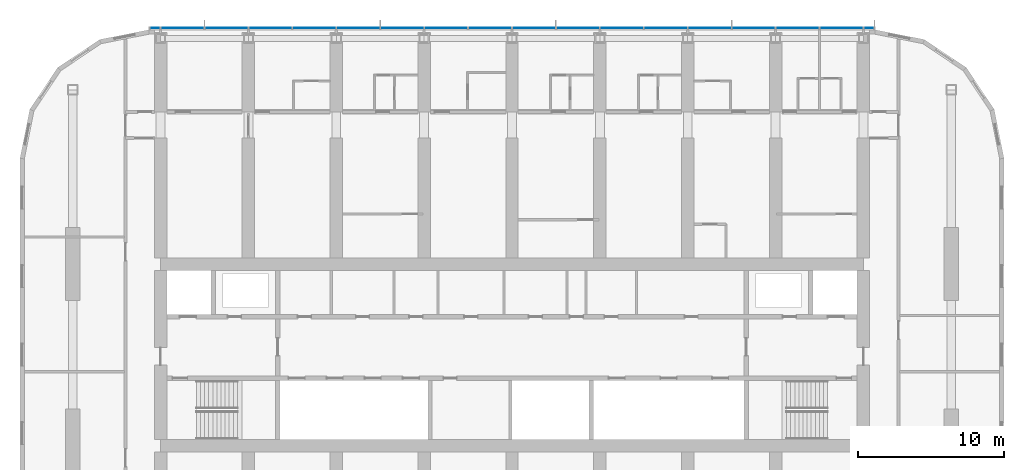
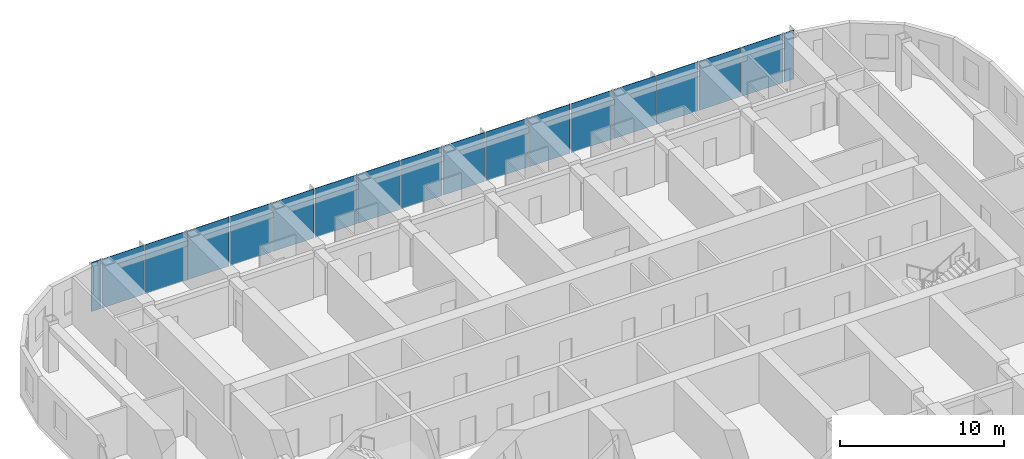
# One storey, part 9 of 22: 18 plates, 1 element without a shape of its own.
"""IFC4 building model written with IfcOpenShell, lengths in metres."""

import ifcopenshell
import ifcopenshell.guid

model = None  # the IFC model being written
_history = None  # IfcOwnerHistory: only IFC2X3 demands one
_inside = {}  # id of a spatial element -> (the spatial element, [elements in it])
_under = {}  # id of a project, library or spatial element -> (it, [spatial elements below it])
_declared = {}  # id of a project -> (the project, [libraries it declares])
_typed = {}  # id of a type object -> (the type object, [elements of that type])
_made_of = {}  # id of a material, layer set ... -> (it, [elements and type objects made of it])


def new_model(schema):
    """Start an empty IFC model of exactly this schema.

    Asked for "IFC4X3", IfcOpenShell would pick the latest addendum, in which some entities
    have other attributes; the version numbers below select the first issue.
    IFC2X3 requires an IfcOwnerHistory on every rooted entity: one is made here for all.
    """
    global model, _history
    if schema == "IFC4X3":
        model = ifcopenshell.file(schema_version=(4, 3, 0, 0))
    else:
        model = ifcopenshell.file(schema=schema)
    _inside.clear()
    _under.clear()
    _declared.clear()
    _typed.clear()
    _made_of.clear()
    _history = None
    if model.schema == "IFC2X3":
        org = make("IfcOrganization", Name="unknown")
        user = make(
            "IfcPersonAndOrganization",
            ThePerson=make("IfcPerson", FamilyName="unknown"),
            TheOrganization=org,
        )
        app = make(
            "IfcApplication",
            ApplicationDeveloper=org,
            Version="unknown",
            ApplicationFullName="unknown",
            ApplicationIdentifier="unknown",
        )
        _history = make(
            "IfcOwnerHistory",
            OwningUser=user,
            OwningApplication=app,
            ChangeAction="ADDED",
            CreationDate=0,
        )
    return model


def make(cls, **values):
    """One entity of the class cls with the attributes given. An attribute that is None is left unset."""
    return model.create_entity(
        cls, **{name: value for name, value in values.items() if value is not None}
    )


def rooted(cls, **values):
    """An entity with a GlobalId (a new one), such as an element, a storey or a relation."""
    return make(cls, GlobalId=ifcopenshell.guid.new(), OwnerHistory=_history, **values)


def si_unit(unit_type, name, prefix=None):
    """IfcSIUnit, for example si_unit("LENGTHUNIT", "METRE", prefix="MILLI")."""
    return make("IfcSIUnit", UnitType=unit_type, Prefix=prefix, Name=name)


def assignment(units):
    """IfcUnitAssignment: the units of a project."""
    return None if units is None else make("IfcUnitAssignment", Units=units)


def point(xyz):
    """IfcCartesianPoint."""
    return None if xyz is None else make("IfcCartesianPoint", Coordinates=xyz)


def direction(xyz):
    """IfcDirection."""
    return None if xyz is None else make("IfcDirection", DirectionRatios=xyz)


def frame(location, z_axis=None, x_axis=None):
    """IfcAxis2Placement3D, a coordinate frame: its origin and axes. An axis left out is left unset."""
    return make(
        "IfcAxis2Placement3D",
        Location=point(location),
        Axis=direction(z_axis),
        RefDirection=direction(x_axis),
    )


def frame_2d(location, x_axis=None):
    """IfcAxis2Placement2D, a coordinate frame in the plane: its origin and x axis."""
    return make(
        "IfcAxis2Placement2D", Location=point(location), RefDirection=direction(x_axis)
    )


def origin():
    """The frame at (0, 0, 0) with its axes left unset."""
    return frame((0.0, 0.0, 0.0))


def origin_2d():
    """The frame at (0, 0) in the plane with its x axis left unset."""
    return frame_2d((0.0, 0.0))


def place(relative_to, where):
    """IfcLocalPlacement: puts the frame where relative to a parent placement (None: the world)."""
    return make(
        "IfcLocalPlacement", PlacementRelTo=relative_to, RelativePlacement=where
    )


def context(
    kind, dimensions, precision=None, world=None, true_north=None, identifier=None
):
    """IfcGeometricRepresentationContext, for example the 3D "Model" context."""
    return make(
        "IfcGeometricRepresentationContext",
        ContextIdentifier=identifier,
        ContextType=kind,
        CoordinateSpaceDimension=dimensions,
        Precision=precision,
        WorldCoordinateSystem=world,
        TrueNorth=true_north,
    )


def subcontext(parent, identifier, kind, view, scale=None):
    """IfcGeometricRepresentationSubContext, for example "Body" below "Model"."""
    return make(
        "IfcGeometricRepresentationSubContext",
        ContextIdentifier=identifier,
        ContextType=kind,
        ParentContext=parent,
        TargetScale=scale,
        TargetView=view,
    )


def project(units=None, contexts=None):
    """IfcProject with its units and contexts."""
    return rooted(
        "IfcProject",
        Name="project",
        RepresentationContexts=contexts,
        UnitsInContext=assignment(units),
    )


def spatial(cls, under=None, at=None, **own):
    """A site, building, storey or space (cls), placed at a placement, below another one or the project."""
    s = rooted(cls, ObjectPlacement=at, **own)
    if under is not None:
        _under.setdefault(under.id(), (under, []))[1].append(s)
    return s


def profile(cls, at=None, kind="AREA", **sizes):
    """A parametric profile (cls). Its sizes go by their IFC names, for example OverallWidth=200.0."""
    return make(cls, ProfileType=kind, Position=at, **sizes)


def rectangle(**sizes):
    """IfcRectangleProfileDef."""
    return profile("IfcRectangleProfileDef", **sizes)


def extrude(swept, where, along, depth):
    """IfcExtrudedAreaSolid: the profile swept, set in the frame where, extruded along a direction by depth."""
    return make(
        "IfcExtrudedAreaSolid",
        SweptArea=swept,
        Position=where,
        ExtrudedDirection=direction(along),
        Depth=depth,
    )


def shape(context_of_items, identifier, shape_type, items):
    """IfcShapeRepresentation: the items that make up one representation, for example the "Body"."""
    return make(
        "IfcShapeRepresentation",
        ContextOfItems=context_of_items,
        RepresentationIdentifier=identifier,
        RepresentationType=shape_type,
        Items=items,
    )


def material(Name=None, Category=None):
    """IfcMaterial."""
    return make("IfcMaterial", Name=Name, Category=Category)


def layer(
    of_material, thickness, ventilated=None, Name=None, Category=None, Priority=None
):
    """IfcMaterialLayer: one layer of a wall or slab, of a material (None: an air gap)."""
    return make(
        "IfcMaterialLayer",
        Material=of_material,
        LayerThickness=thickness,
        IsVentilated=ventilated,
        Name=Name,
        Category=Category,
        Priority=Priority,
    )


def layer_set(layers, Name=None):
    """IfcMaterialLayerSet."""
    return make("IfcMaterialLayerSet", MaterialLayers=layers, LayerSetName=Name)


def made_of(thing, what):
    """Note that an element or type object is made of a material, layer set ...; save() writes the relation."""
    if what is not None:
        _made_of.setdefault(what.id(), (what, []))[1].append(thing)
    return thing


def type_object(cls, material=None, **own):
    """A type object (cls), such as IfcWallType, which elements share."""
    return made_of(rooted(cls, **own), material)


def element(
    cls,
    number,
    at=None,
    inside=None,
    cuts=None,
    type_object=None,
    material=None,
    context=None,
    identifier="Body",
    shape_type=None,
    held_by="IfcProductDefinitionShape",
    body=None,
    shapes=None,
    **own,
):
    """One element of the class cls, such as IfcWall. Its Tag is "e" and its number.

    at: its placement. inside: the storey or other place that contains it. cuts: it is an
    opening in that element (IfcRelVoidsElement). A single representation is given by context,
    identifier, shape_type and body (its items); several are given by shapes. held_by: the class
    of the entity that holds the representations. save() writes the other relations.
    """
    e = rooted(cls, Tag="e%d" % number, ObjectPlacement=at, **own)
    if body is not None:
        shapes = [shape(context, identifier, shape_type, body)]
    if shapes is not None:
        e.Representation = make(held_by, Representations=shapes)
    if inside is not None:
        _inside.setdefault(inside.id(), (inside, []))[1].append(e)
    if cuts is not None:
        rooted(
            "IfcRelVoidsElement", RelatingBuildingElement=cuts, RelatedOpeningElement=e
        )
    if type_object is not None:
        _typed.setdefault(type_object.id(), (type_object, []))[1].append(e)
    return made_of(e, material)


def aggregate(whole, parts):
    """IfcRelAggregates: a whole, such as a stair, and the parts it consists of."""
    return rooted("IfcRelAggregates", RelatingObject=whole, RelatedObjects=parts)


def save(model, path):
    """Write the relations noted so far, then the file.

    IfcRelAggregates (storeys below a building ...), IfcRelContainedInSpatialStructure (elements
    in a storey), IfcRelDefinesByType, IfcRelAssociatesMaterial and IfcRelDeclares: one each for
    every whole, place, type object, material and project.
    """
    for whole, parts in _under.values():
        aggregate(whole, parts)
    for where, things in _inside.values():
        rooted(
            "IfcRelContainedInSpatialStructure",
            RelatedElements=things,
            RelatingStructure=where,
        )
    for kind, things in _typed.values():
        rooted("IfcRelDefinesByType", RelatedObjects=things, RelatingType=kind)
    for what, things in _made_of.values():
        rooted("IfcRelAssociatesMaterial", RelatedObjects=things, RelatingMaterial=what)
    for by, libraries in _declared.values():
        rooted("IfcRelDeclares", RelatingContext=by, RelatedDefinitions=libraries)
    model.write(path)


model = new_model("IFC4")

# Units and contexts
model_context = context("Model", 3, precision=1e-05, world=origin(), true_north=direction((0.0, 1.0)))
body_context = subcontext(model_context, "Body", "Model", "MODEL_VIEW")
ifc_project = project(units=[si_unit("LENGTHUNIT", "METRE"), si_unit("AREAUNIT", "SQUARE_METRE"), si_unit("VOLUMEUNIT", "CUBIC_METRE"), si_unit("PLANEANGLEUNIT", "RADIAN"), si_unit("MASSUNIT", "GRAM", prefix="KILO")], contexts=[model_context])

# Site, building, storey
site_placement = place(None, origin())
site = spatial("IfcSite", under=ifc_project, at=site_placement, CompositionType="ELEMENT")
building_placement = place(site_placement, origin())
building = spatial("IfcBuilding", under=site, at=building_placement, Name="Orbita Commons", CompositionType="ELEMENT")
storey_placement = place(building_placement, frame((0.0, 0.0, 156.10009765625)))
storey = spatial("IfcBuildingStorey", under=building, at=storey_placement, Name="L38", CompositionType="ELEMENT", Elevation=156.10009765625)

# Curtain wall, plates
ifc_material_1 = material(Name="Anodised aluminium frame, pale silver", Category="aluminium")
curtain_wall_type = type_object("IfcCurtainWallType", Name="Unitised curtain wall CW-U, full-height vision", PredefinedType="NOTDEFINED", material=ifc_material_1)
curtain_wall_placement = place(storey_placement, origin())
curtain_wall = element("IfcCurtainWall", 1, at=curtain_wall_placement, inside=storey, type_object=curtain_wall_type, Name="Curtain wall north L38", PredefinedType="NOTDEFINED")
ifc_material_2 = material(Name="Clear double glazing", Category="glass")
ifc_layer = layer(ifc_material_2, 0.031982421875)
ifc_layer_set = layer_set([ifc_layer], Name="Clear double glazing")
plate_type = type_object("IfcPlateType", Name="Full-height vision panel, clear glazing 32", PredefinedType="CURTAIN_PANEL", material=ifc_layer_set)
plate_1_placement = place(storey_placement, frame((66.3798828125, 54.31005859375, -0.150146484375), z_axis=(0.0, 0.0, 1.0), x_axis=(-1.0, 0.0, 0.0)))
plate_1 = element("IfcPlate", 2, at=plate_1_placement, type_object=plate_type, Name="Panel 1.1 CW-L38-N", PredefinedType="CURTAIN_PANEL", context=body_context, shape_type="SweptSolid", body=[
    extrude(rectangle(XDim=0.679931640625, YDim=0.031982421875, at=origin_2d()), origin(), (0.0, 0.0, 1.0), 3.64990234375),
])
plate_2_placement = place(storey_placement, frame((64.5, 54.31005859375, -0.150146484375), z_axis=(0.0, 0.0, 1.0), x_axis=(-1.0, 0.0, 0.0)))
plate_2 = element("IfcPlate", 3, at=plate_2_placement, type_object=plate_type, Name="Panel 2.1 CW-L38-N", PredefinedType="CURTAIN_PANEL", context=body_context, shape_type="SweptSolid", body=[
    extrude(rectangle(XDim=2.919921875, YDim=0.031982421875, at=origin_2d()), origin(), (0.0, 0.0, 1.0), 3.64990234375),
])
plate_3_placement = place(storey_placement, frame((61.5, 54.31005859375, -0.150146484375), z_axis=(0.0, 0.0, 1.0), x_axis=(-1.0, 0.0, 0.0)))
plate_3 = element("IfcPlate", 4, at=plate_3_placement, type_object=plate_type, Name="Panel 3.1 CW-L38-N", PredefinedType="CURTAIN_PANEL", context=body_context, shape_type="SweptSolid", body=[
    extrude(rectangle(XDim=2.919921875, YDim=0.031982421875, at=origin_2d()), origin(), (0.0, 0.0, 1.0), 3.64990234375),
])
plate_4_placement = place(storey_placement, frame((58.5, 54.31005859375, -0.150146484375), z_axis=(0.0, 0.0, 1.0), x_axis=(-1.0, 0.0, 0.0)))
plate_4 = element("IfcPlate", 5, at=plate_4_placement, type_object=plate_type, Name="Panel 4.1 CW-L38-N", PredefinedType="CURTAIN_PANEL", context=body_context, shape_type="SweptSolid", body=[
    extrude(rectangle(XDim=2.919921875, YDim=0.031982421875, at=origin_2d()), origin(), (0.0, 0.0, 1.0), 3.64990234375),
])
plate_5_placement = place(storey_placement, frame((55.5, 54.31005859375, -0.150146484375), z_axis=(0.0, 0.0, 1.0), x_axis=(-1.0, 0.0, 0.0)))
plate_5 = element("IfcPlate", 6, at=plate_5_placement, type_object=plate_type, Name="Panel 5.1 CW-L38-N", PredefinedType="CURTAIN_PANEL", context=body_context, shape_type="SweptSolid", body=[
    extrude(rectangle(XDim=2.919921875, YDim=0.031982421875, at=origin_2d()), origin(), (0.0, 0.0, 1.0), 3.64990234375),
])
plate_6_placement = place(storey_placement, frame((52.5, 54.31005859375, -0.150146484375), z_axis=(0.0, 0.0, 1.0), x_axis=(-1.0, 0.0, 0.0)))
plate_6 = element("IfcPlate", 7, at=plate_6_placement, type_object=plate_type, Name="Panel 6.1 CW-L38-N", PredefinedType="CURTAIN_PANEL", context=body_context, shape_type="SweptSolid", body=[
    extrude(rectangle(XDim=2.919921875, YDim=0.031982421875, at=origin_2d()), origin(), (0.0, 0.0, 1.0), 3.64990234375),
])
plate_7_placement = place(storey_placement, frame((49.5, 54.31005859375, -0.150146484375), z_axis=(0.0, 0.0, 1.0), x_axis=(-1.0, 0.0, 0.0)))
plate_7 = element("IfcPlate", 8, at=plate_7_placement, type_object=plate_type, Name="Panel 7.1 CW-L38-N", PredefinedType="CURTAIN_PANEL", context=body_context, shape_type="SweptSolid", body=[
    extrude(rectangle(XDim=2.919921875, YDim=0.031982421875, at=origin_2d()), origin(), (0.0, 0.0, 1.0), 3.64990234375),
])
plate_8_placement = place(storey_placement, frame((46.5, 54.31005859375, -0.150146484375), z_axis=(0.0, 0.0, 1.0), x_axis=(-1.0, 0.0, 0.0)))
plate_8 = element("IfcPlate", 9, at=plate_8_placement, type_object=plate_type, Name="Panel 8.1 CW-L38-N", PredefinedType="CURTAIN_PANEL", context=body_context, shape_type="SweptSolid", body=[
    extrude(rectangle(XDim=2.919921875, YDim=0.031982421875, at=origin_2d()), origin(), (0.0, 0.0, 1.0), 3.64990234375),
])
plate_9_placement = place(storey_placement, frame((43.5, 54.31005859375, -0.150146484375), z_axis=(0.0, 0.0, 1.0), x_axis=(-1.0, 0.0, 0.0)))
plate_9 = element("IfcPlate", 10, at=plate_9_placement, type_object=plate_type, Name="Panel 9.1 CW-L38-N", PredefinedType="CURTAIN_PANEL", context=body_context, shape_type="SweptSolid", body=[
    extrude(rectangle(XDim=2.919921875, YDim=0.031982421875, at=origin_2d()), origin(), (0.0, 0.0, 1.0), 3.64990234375),
])
plate_10_placement = place(storey_placement, frame((40.5, 54.31005859375, -0.150146484375), z_axis=(0.0, 0.0, 1.0), x_axis=(-1.0, 0.0, 0.0)))
plate_10 = element("IfcPlate", 11, at=plate_10_placement, type_object=plate_type, Name="Panel 10.1 CW-L38-N", PredefinedType="CURTAIN_PANEL", context=body_context, shape_type="SweptSolid", body=[
    extrude(rectangle(XDim=2.919921875, YDim=0.031982421875, at=origin_2d()), origin(), (0.0, 0.0, 1.0), 3.64990234375),
])
plate_11_placement = place(storey_placement, frame((37.5, 54.31005859375, -0.150146484375), z_axis=(0.0, 0.0, 1.0), x_axis=(-1.0, 0.0, 0.0)))
plate_11 = element("IfcPlate", 12, at=plate_11_placement, type_object=plate_type, Name="Panel 11.1 CW-L38-N", PredefinedType="CURTAIN_PANEL", context=body_context, shape_type="SweptSolid", body=[
    extrude(rectangle(XDim=2.919921875, YDim=0.031982421875, at=origin_2d()), origin(), (0.0, 0.0, 1.0), 3.64990234375),
])
plate_12_placement = place(storey_placement, frame((34.5, 54.31005859375, -0.150146484375), z_axis=(0.0, 0.0, 1.0), x_axis=(-1.0, 0.0, 0.0)))
plate_12 = element("IfcPlate", 13, at=plate_12_placement, type_object=plate_type, Name="Panel 12.1 CW-L38-N", PredefinedType="CURTAIN_PANEL", context=body_context, shape_type="SweptSolid", body=[
    extrude(rectangle(XDim=2.919921875, YDim=0.031982421875, at=origin_2d()), origin(), (0.0, 0.0, 1.0), 3.64990234375),
])
plate_13_placement = place(storey_placement, frame((31.5, 54.31005859375, -0.150146484375), z_axis=(0.0, 0.0, 1.0), x_axis=(-1.0, 0.0, 0.0)))
plate_13 = element("IfcPlate", 14, at=plate_13_placement, type_object=plate_type, Name="Panel 13.1 CW-L38-N", PredefinedType="CURTAIN_PANEL", context=body_context, shape_type="SweptSolid", body=[
    extrude(rectangle(XDim=2.919921875, YDim=0.031982421875, at=origin_2d()), origin(), (0.0, 0.0, 1.0), 3.64990234375),
])
plate_14_placement = place(storey_placement, frame((28.5, 54.31005859375, -0.150146484375), z_axis=(0.0, 0.0, 1.0), x_axis=(-1.0, 0.0, 0.0)))
plate_14 = element("IfcPlate", 15, at=plate_14_placement, type_object=plate_type, Name="Panel 14.1 CW-L38-N", PredefinedType="CURTAIN_PANEL", context=body_context, shape_type="SweptSolid", body=[
    extrude(rectangle(XDim=2.919921875, YDim=0.031982421875, at=origin_2d()), origin(), (0.0, 0.0, 1.0), 3.64990234375),
])
plate_15_placement = place(storey_placement, frame((25.5, 54.31005859375, -0.150146484375), z_axis=(0.0, 0.0, 1.0), x_axis=(-1.0, 0.0, 0.0)))
plate_15 = element("IfcPlate", 16, at=plate_15_placement, type_object=plate_type, Name="Panel 15.1 CW-L38-N", PredefinedType="CURTAIN_PANEL", context=body_context, shape_type="SweptSolid", body=[
    extrude(rectangle(XDim=2.919921875, YDim=0.031982421875, at=origin_2d()), origin(), (0.0, 0.0, 1.0), 3.64990234375),
])
plate_16_placement = place(storey_placement, frame((22.5, 54.31005859375, -0.150146484375), z_axis=(0.0, 0.0, 1.0), x_axis=(-1.0, 0.0, 0.0)))
plate_16 = element("IfcPlate", 17, at=plate_16_placement, type_object=plate_type, Name="Panel 16.1 CW-L38-N", PredefinedType="CURTAIN_PANEL", context=body_context, shape_type="SweptSolid", body=[
    extrude(rectangle(XDim=2.919921875, YDim=0.031982421875, at=origin_2d()), origin(), (0.0, 0.0, 1.0), 3.64990234375),
])
plate_17_placement = place(storey_placement, frame((19.5, 54.31005859375, -0.150146484375), z_axis=(0.0, 0.0, 1.0), x_axis=(-1.0, 0.0, 0.0)))
plate_17 = element("IfcPlate", 18, at=plate_17_placement, type_object=plate_type, Name="Panel 17.1 CW-L38-N", PredefinedType="CURTAIN_PANEL", context=body_context, shape_type="SweptSolid", body=[
    extrude(rectangle(XDim=2.919921875, YDim=0.031982421875, at=origin_2d()), origin(), (0.0, 0.0, 1.0), 3.64990234375),
])
plate_18_placement = place(storey_placement, frame((17.6201171875, 54.31005859375, -0.150146484375), z_axis=(0.0, 0.0, 1.0), x_axis=(-1.0, 0.0, 0.0)))
plate_18 = element("IfcPlate", 19, at=plate_18_placement, type_object=plate_type, Name="Panel 18.1 CW-L38-N", PredefinedType="CURTAIN_PANEL", context=body_context, shape_type="SweptSolid", body=[
    extrude(rectangle(XDim=0.679931640625, YDim=0.031982421875, at=origin_2d()), origin(), (0.0, 0.0, 1.0), 3.64990234375),
])
aggregate(curtain_wall, [plate_1, plate_2, plate_3, plate_4, plate_5, plate_6, plate_7, plate_8, plate_9, plate_10, plate_11, plate_12, plate_13, plate_14, plate_15, plate_16, plate_17, plate_18])

save(model, "model.ifc")
